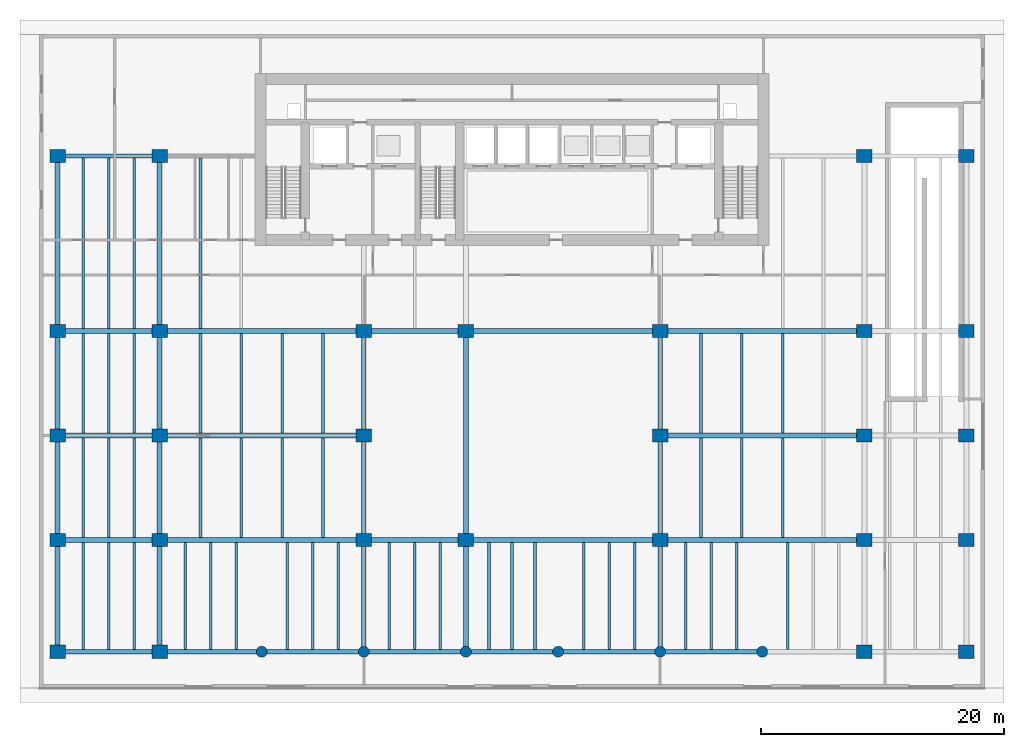
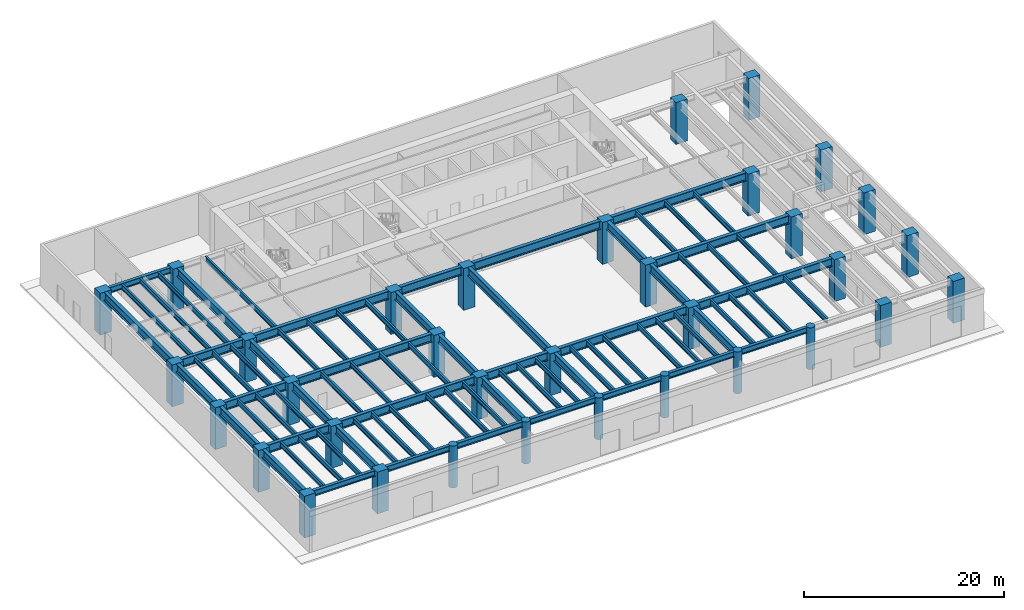
# One storey, part 1 of 11: 83 beams, 34 columns.
"""IFC4 building model written with IfcOpenShell, lengths in metres."""

from ifc_helpers import new_model, si_unit, direction, frame, origin, origin_2d, place, context, subcontext, project, spatial, rectangle, circle, i_section, extrude, material, material_profile, profile_set, type_object, element, save


model = new_model("IFC4")

# Units and contexts
model_context = context("Model", 3, precision=1e-05, world=origin(), true_north=direction((0.0, 1.0)))
body_context = subcontext(model_context, "Body", "Model", "MODEL_VIEW")
ifc_project = project(units=[si_unit("LENGTHUNIT", "METRE"), si_unit("AREAUNIT", "SQUARE_METRE"), si_unit("VOLUMEUNIT", "CUBIC_METRE"), si_unit("PLANEANGLEUNIT", "RADIAN"), si_unit("MASSUNIT", "GRAM", prefix="KILO")], contexts=[model_context])

# Site, building, storey
site_placement = place(None, origin())
site = spatial("IfcSite", under=ifc_project, at=site_placement, CompositionType="ELEMENT")
building_placement = place(site_placement, origin())
building = spatial("IfcBuilding", under=site, at=building_placement, Name="Caelmar Bay Residences", CompositionType="ELEMENT")
storey_placement = place(building_placement, origin())
storey = spatial("IfcBuildingStorey", under=building, at=storey_placement, Name="L00", CompositionType="ELEMENT", Elevation=0.0)

# Columns
ifc_material_1 = material(Name="Concrete f'c 70 MPa (10,000 psi)", Category="concrete")
ifc_material_profile_1 = material_profile(ifc_material_1, rectangle(XDim=1.300048828125, YDim=1.10009765625, at=origin_2d()), Name="RC-COL-1300X1100")
ifc_profile_set_1 = profile_set([ifc_material_profile_1], Name="Concrete f'c 70 MPa (10,000 psi)")
column_type_1 = type_object("IfcColumnType", Name="COL-RC-1300X1100", PredefinedType="COLUMN", material=ifc_profile_set_1)
for number, where, z_axis, x_axis, name in (
    (1, (1.5, 3.0, 0.0), (0.0, 0.0, 1.0), (1.0, 0.0, 0.0), "L00 Column (1.50,3.00)"),
    (2, (9.89990234375, 3.0, 0.0), (0.0, 0.0, 1.0), (1.0, 0.0, 0.0), "L00 Column (9.90,3.00)"),
    (3, (67.89990234375, 3.0, 0.0), (0.0, 0.0, 1.0), (1.0, 0.0, 0.0), "L00 Column (67.90,3.00)"),
    (4, (76.300048828125, 3.0, 0.0), (0.0, 0.0, 1.0), (1.0, 0.0, 0.0), "L00 Column (76.30,3.00)"),
    (5, (1.5, 12.199951171875, 0.0), (0.0, 0.0, 1.0), (1.0, 0.0, 0.0), "L00 Column (1.50,12.20)"),
    (6, (9.89990234375, 12.199951171875, 0.0), (0.0, 0.0, 1.0), (1.0, 0.0, 0.0), "L00 Column (9.90,12.20)"),
    (7, (26.699951171875, 12.199951171875, 0.0), (0.0, 0.0, 1.0), (1.0, 0.0, 0.0), "L00 Column (26.70,12.20)"),
    (8, (35.10009765625, 12.199951171875, 0.0), (0.0, 0.0, 1.0), (1.0, 0.0, 0.0), "L00 Column (35.10,12.20)"),
    (9, (51.10009765625, 12.199951171875, 0.0), (0.0, 0.0, 1.0), (1.0, 0.0, 0.0), "L00 Column (51.10,12.20)"),
    (10, (67.89990234375, 12.199951171875, 0.0), (0.0, 0.0, 1.0), (1.0, 0.0, 0.0), "L00 Column (67.90,12.20)"),
    (11, (76.300048828125, 12.199951171875, 0.0), (0.0, 0.0, 1.0), (1.0, 0.0, 0.0), "L00 Column (76.30,12.20)"),
    (12, (1.5, 20.800048828125, 0.0), (0.0, 0.0, 1.0), (1.0, 0.0, 0.0), "L00 Column (1.50,20.80)"),
    (13, (9.89990234375, 20.800048828125, 0.0), (0.0, 0.0, 1.0), (1.0, 0.0, 0.0), "L00 Column (9.90,20.80)"),
    (14, (26.699951171875, 20.800048828125, 0.0), (0.0, 0.0, 1.0), (1.0, 0.0, 0.0), "L00 Column (26.70,20.80)"),
    (15, (51.10009765625, 20.800048828125, 0.0), (0.0, 0.0, 1.0), (1.0, 0.0, 0.0), "L00 Column (51.10,20.80)"),
    (16, (67.89990234375, 20.800048828125, 0.0), (0.0, 0.0, 1.0), (1.0, 0.0, 0.0), "L00 Column (67.90,20.80)"),
    (17, (76.300048828125, 20.800048828125, 0.0), (0.0, 0.0, 1.0), (1.0, 0.0, 0.0), "L00 Column (76.30,20.80)"),
    (18, (1.5, 29.39990234375, 0.0), (0.0, 0.0, 1.0), (1.0, 0.0, 0.0), "L00 Column (1.50,29.40)"),
    (19, (9.89990234375, 29.39990234375, 0.0), (0.0, 0.0, 1.0), (1.0, 0.0, 0.0), "L00 Column (9.90,29.40)"),
    (20, (26.699951171875, 29.39990234375, 0.0), (0.0, 0.0, 1.0), (1.0, 0.0, 0.0), "L00 Column (26.70,29.40)"),
    (21, (35.10009765625, 29.39990234375, 0.0), (0.0, 0.0, 1.0), (1.0, 0.0, 0.0), "L00 Column (35.10,29.40)"),
    (22, (51.10009765625, 29.39990234375, 0.0), (0.0, 0.0, 1.0), (1.0, 0.0, 0.0), "L00 Column (51.10,29.40)"),
    (23, (67.89990234375, 29.39990234375, 0.0), (0.0, 0.0, 1.0), (1.0, 0.0, 0.0), "L00 Column (67.90,29.40)"),
    (24, (76.300048828125, 29.39990234375, 0.0), (0.0, 0.0, 1.0), (1.0, 0.0, 0.0), "L00 Column (76.30,29.40)"),
    (25, (1.5, 43.800048828125, 0.0), (0.0, 0.0, 1.0), (1.0, 0.0, 0.0), "L00 Column (1.50,43.80)"),
    (26, (9.89990234375, 43.800048828125, 0.0), (0.0, 0.0, 1.0), (1.0, 0.0, 0.0), "L00 Column (9.90,43.80)"),
    (27, (67.89990234375, 43.800048828125, 0.0), (0.0, 0.0, 1.0), (1.0, 0.0, 0.0), "L00 Column (67.90,43.80)"),
    (28, (76.300048828125, 43.800048828125, 0.0), (0.0, 0.0, 1.0), (1.0, 0.0, 0.0), "L00 Column (76.30,43.80)"),
):
    element("IfcColumn", number, at=place(storey_placement, frame(where, z_axis=z_axis, x_axis=x_axis)), inside=storey, type_object=column_type_1, Name=name, PredefinedType="COLUMN", context=body_context, shape_type="SweptSolid", body=[
        extrude(rectangle(XDim=1.300048828125, YDim=1.10009765625, at=origin_2d()), origin(), (0.0, 0.0, 1.0), 5.10009765625),
    ])
ifc_material_profile_2 = material_profile(ifc_material_1, circle(Radius=0.449951171875, at=origin_2d()), Name="RC-COL-900D")
ifc_profile_set_2 = profile_set([ifc_material_profile_2], Name="Concrete f'c 70 MPa (10,000 psi)")
column_type_2 = type_object("IfcColumnType", Name="COL-RC-900D", PredefinedType="COLUMN", material=ifc_profile_set_2)
for number, where, z_axis, x_axis, name in (
    (29, (18.300048828125, 3.0, 0.0), (0.0, 0.0, 1.0), (1.0, 0.0, 0.0), "L00 Column (18.30,3.00)"),
    (30, (26.699951171875, 3.0, 0.0), (0.0, 0.0, 1.0), (1.0, 0.0, 0.0), "L00 Column (26.70,3.00)"),
    (31, (35.10009765625, 3.0, 0.0), (0.0, 0.0, 1.0), (1.0, 0.0, 0.0), "L00 Column (35.10,3.00)"),
    (32, (42.699951171875, 3.0, 0.0), (0.0, 0.0, 1.0), (1.0, 0.0, 0.0), "L00 Column (42.70,3.00)"),
    (33, (51.10009765625, 3.0, 0.0), (0.0, 0.0, 1.0), (1.0, 0.0, 0.0), "L00 Column (51.10,3.00)"),
    (34, (59.5, 3.0, 0.0), (0.0, 0.0, 1.0), (1.0, 0.0, 0.0), "L00 Column (59.50,3.00)"),
):
    element("IfcColumn", number, at=place(storey_placement, frame(where, z_axis=z_axis, x_axis=x_axis)), inside=storey, type_object=column_type_2, Name=name, PredefinedType="COLUMN", context=body_context, shape_type="SweptSolid", body=[
        extrude(circle(Radius=0.449951171875, at=origin_2d()), origin(), (0.0, 0.0, 1.0), 5.10009765625),
    ])

# Beams
ifc_material_2 = material(Name="Steel ASTM A992 Grade 50", Category="steel")
ifc_material_profile_3 = material_profile(ifc_material_2, i_section(OverallWidth=0.404052734375, OverallDepth=1.02099609375, WebThickness=0.025390625, FlangeThickness=0.0458984375, FilletRadius=0.02294921875, at=origin_2d()), Name="W40X324")
ifc_profile_set_3 = profile_set([ifc_material_profile_3], Name="Steel ASTM A992 Grade 50")
beam_type_1 = type_object("IfcBeamType", Name="BM-GRD-W40X324", PredefinedType="BEAM", material=ifc_profile_set_3)
beam_1_placement = place(storey_placement, frame((2.0400390625, 12.199951171875, 4.589599609375), z_axis=(1.0, 0.0, 0.0), x_axis=(0.0, 1.0, 0.0)))
element("IfcBeam", 35, at=beam_1_placement, inside=storey, type_object=beam_type_1, Name="L00 East-West Girder Y=12.20 (1.5-9.9)", PredefinedType="BEAM", context=body_context, shape_type="SweptSolid", body=[
    extrude(i_section(OverallWidth=0.404052734375, OverallDepth=1.02099609375, WebThickness=0.025390625, FlangeThickness=0.0458984375, FilletRadius=0.02294921875, at=origin_2d()), origin(), (0.0, 0.0, 1.0), 7.320068359375),
])
beam_2_placement = place(storey_placement, frame((10.43994140625, 12.199951171875, 4.589599609375), z_axis=(1.0, 0.0, 0.0), x_axis=(0.0, 1.0, 0.0)))
element("IfcBeam", 36, at=beam_2_placement, inside=storey, type_object=beam_type_1, Name="L00 East-West Girder Y=12.20 (9.9-26.7)", PredefinedType="BEAM", context=body_context, shape_type="SweptSolid", body=[
    extrude(i_section(OverallWidth=0.404052734375, OverallDepth=1.02099609375, WebThickness=0.025390625, FlangeThickness=0.0458984375, FilletRadius=0.02294921875, at=origin_2d()), origin(), (0.0, 0.0, 1.0), 15.719970703125),
])
beam_3_placement = place(storey_placement, frame((27.239990234375, 12.199951171875, 4.589599609375), z_axis=(1.0, 0.0, 0.0), x_axis=(0.0, 1.0, 0.0)))
element("IfcBeam", 37, at=beam_3_placement, inside=storey, type_object=beam_type_1, Name="L00 East-West Girder Y=12.20 (26.7-35.1)", PredefinedType="BEAM", context=body_context, shape_type="SweptSolid", body=[
    extrude(i_section(OverallWidth=0.404052734375, OverallDepth=1.02099609375, WebThickness=0.025390625, FlangeThickness=0.0458984375, FilletRadius=0.02294921875, at=origin_2d()), origin(), (0.0, 0.0, 1.0), 7.320068359375),
])
beam_4_placement = place(storey_placement, frame((35.639892578125, 12.199951171875, 4.589599609375), z_axis=(1.0, 0.0, 0.0), x_axis=(0.0, 1.0, 0.0)))
element("IfcBeam", 38, at=beam_4_placement, inside=storey, type_object=beam_type_1, Name="L00 East-West Girder Y=12.20 (35.1-51.1)", PredefinedType="BEAM", context=body_context, shape_type="SweptSolid", body=[
    extrude(i_section(OverallWidth=0.404052734375, OverallDepth=1.02099609375, WebThickness=0.025390625, FlangeThickness=0.0458984375, FilletRadius=0.02294921875, at=origin_2d()), origin(), (0.0, 0.0, 1.0), 14.920166015625),
])
beam_5_placement = place(storey_placement, frame((51.639892578125, 12.199951171875, 4.589599609375), z_axis=(1.0, 0.0, 0.0), x_axis=(0.0, 1.0, 0.0)))
element("IfcBeam", 39, at=beam_5_placement, inside=storey, type_object=beam_type_1, Name="L00 East-West Girder Y=12.20 (51.1-67.9)", PredefinedType="BEAM", context=body_context, shape_type="SweptSolid", body=[
    extrude(i_section(OverallWidth=0.404052734375, OverallDepth=1.02099609375, WebThickness=0.025390625, FlangeThickness=0.0458984375, FilletRadius=0.02294921875, at=origin_2d()), origin(), (0.0, 0.0, 1.0), 15.72021484375),
])
beam_6_placement = place(storey_placement, frame((2.0400390625, 20.800048828125, 4.589599609375), z_axis=(1.0, 0.0, 0.0), x_axis=(0.0, 1.0, 0.0)))
element("IfcBeam", 40, at=beam_6_placement, inside=storey, type_object=beam_type_1, Name="L00 East-West Girder Y=20.80 (1.5-9.9)", PredefinedType="BEAM", context=body_context, shape_type="SweptSolid", body=[
    extrude(i_section(OverallWidth=0.404052734375, OverallDepth=1.02099609375, WebThickness=0.025390625, FlangeThickness=0.0458984375, FilletRadius=0.02294921875, at=origin_2d()), origin(), (0.0, 0.0, 1.0), 7.320068359375),
])
beam_7_placement = place(storey_placement, frame((10.43994140625, 20.800048828125, 4.589599609375), z_axis=(1.0, 0.0, 0.0), x_axis=(0.0, 1.0, 0.0)))
element("IfcBeam", 41, at=beam_7_placement, inside=storey, type_object=beam_type_1, Name="L00 East-West Girder Y=20.80 (9.9-26.7)", PredefinedType="BEAM", context=body_context, shape_type="SweptSolid", body=[
    extrude(i_section(OverallWidth=0.404052734375, OverallDepth=1.02099609375, WebThickness=0.025390625, FlangeThickness=0.0458984375, FilletRadius=0.02294921875, at=origin_2d()), origin(), (0.0, 0.0, 1.0), 15.719970703125),
])
beam_8_placement = place(storey_placement, frame((51.639892578125, 20.800048828125, 4.589599609375), z_axis=(1.0, 0.0, 0.0), x_axis=(0.0, 1.0, 0.0)))
element("IfcBeam", 42, at=beam_8_placement, inside=storey, type_object=beam_type_1, Name="L00 East-West Girder Y=20.80 (51.1-67.9)", PredefinedType="BEAM", context=body_context, shape_type="SweptSolid", body=[
    extrude(i_section(OverallWidth=0.404052734375, OverallDepth=1.02099609375, WebThickness=0.025390625, FlangeThickness=0.0458984375, FilletRadius=0.02294921875, at=origin_2d()), origin(), (0.0, 0.0, 1.0), 15.72021484375),
])
beam_9_placement = place(storey_placement, frame((2.0400390625, 29.39990234375, 4.589599609375), z_axis=(1.0, 0.0, 0.0), x_axis=(0.0, 1.0, 0.0)))
element("IfcBeam", 43, at=beam_9_placement, inside=storey, type_object=beam_type_1, Name="L00 East-West Girder Y=29.40 (1.5-9.9)", PredefinedType="BEAM", context=body_context, shape_type="SweptSolid", body=[
    extrude(i_section(OverallWidth=0.404052734375, OverallDepth=1.02099609375, WebThickness=0.025390625, FlangeThickness=0.0458984375, FilletRadius=0.02294921875, at=origin_2d()), origin(), (0.0, 0.0, 1.0), 7.320068359375),
])
beam_10_placement = place(storey_placement, frame((10.43994140625, 29.39990234375, 4.589599609375), z_axis=(1.0, 0.0, 0.0), x_axis=(0.0, 1.0, 0.0)))
element("IfcBeam", 44, at=beam_10_placement, inside=storey, type_object=beam_type_1, Name="L00 East-West Girder Y=29.40 (9.9-26.7)", PredefinedType="BEAM", context=body_context, shape_type="SweptSolid", body=[
    extrude(i_section(OverallWidth=0.404052734375, OverallDepth=1.02099609375, WebThickness=0.025390625, FlangeThickness=0.0458984375, FilletRadius=0.02294921875, at=origin_2d()), origin(), (0.0, 0.0, 1.0), 15.719970703125),
])
beam_11_placement = place(storey_placement, frame((27.239990234375, 29.39990234375, 4.589599609375), z_axis=(1.0, 0.0, 0.0), x_axis=(0.0, 1.0, 0.0)))
element("IfcBeam", 45, at=beam_11_placement, inside=storey, type_object=beam_type_1, Name="L00 East-West Girder Y=29.40 (26.7-35.1)", PredefinedType="BEAM", context=body_context, shape_type="SweptSolid", body=[
    extrude(i_section(OverallWidth=0.404052734375, OverallDepth=1.02099609375, WebThickness=0.025390625, FlangeThickness=0.0458984375, FilletRadius=0.02294921875, at=origin_2d()), origin(), (0.0, 0.0, 1.0), 7.320068359375),
])
beam_12_placement = place(storey_placement, frame((35.639892578125, 29.39990234375, 4.589599609375), z_axis=(1.0, 0.0, 0.0), x_axis=(0.0, 1.0, 0.0)))
element("IfcBeam", 46, at=beam_12_placement, inside=storey, type_object=beam_type_1, Name="L00 East-West Girder Y=29.40 (35.1-51.1)", PredefinedType="BEAM", context=body_context, shape_type="SweptSolid", body=[
    extrude(i_section(OverallWidth=0.404052734375, OverallDepth=1.02099609375, WebThickness=0.025390625, FlangeThickness=0.0458984375, FilletRadius=0.02294921875, at=origin_2d()), origin(), (0.0, 0.0, 1.0), 14.920166015625),
])
beam_13_placement = place(storey_placement, frame((51.639892578125, 29.39990234375, 4.589599609375), z_axis=(1.0, 0.0, 0.0), x_axis=(0.0, 1.0, 0.0)))
element("IfcBeam", 47, at=beam_13_placement, inside=storey, type_object=beam_type_1, Name="L00 East-West Girder Y=29.40 (51.1-67.9)", PredefinedType="BEAM", context=body_context, shape_type="SweptSolid", body=[
    extrude(i_section(OverallWidth=0.404052734375, OverallDepth=1.02099609375, WebThickness=0.025390625, FlangeThickness=0.0458984375, FilletRadius=0.02294921875, at=origin_2d()), origin(), (0.0, 0.0, 1.0), 15.72021484375),
])
beam_14_placement = place(storey_placement, frame((1.5, 3.5400390625, 4.589599609375), z_axis=(0.0, 1.0, 0.0), x_axis=(-1.0, 0.0, 0.0)))
element("IfcBeam", 48, at=beam_14_placement, inside=storey, type_object=beam_type_1, Name="L00 North-South Girder X=1.50 (3.0-12.2)", PredefinedType="BEAM", context=body_context, shape_type="SweptSolid", body=[
    extrude(i_section(OverallWidth=0.404052734375, OverallDepth=1.02099609375, WebThickness=0.025390625, FlangeThickness=0.0458984375, FilletRadius=0.02294921875, at=origin_2d()), origin(), (0.0, 0.0, 1.0), 8.119873046875),
])
for number, where, z_axis, x_axis, name in (
    (49, (1.5, 12.739990234375, 4.589599609375), (0.0, 1.0, 0.0), (-1.0, 0.0, 0.0), "L00 North-South Girder X=1.50 (12.2-20.8)"),
    (50, (1.5, 21.340087890625, 4.589599609375), (0.0, 1.0, 0.0), (-1.0, 0.0, 0.0), "L00 North-South Girder X=1.50 (20.8-29.4)"),
):
    element("IfcBeam", number, at=place(storey_placement, frame(where, z_axis=z_axis, x_axis=x_axis)), inside=storey, type_object=beam_type_1, Name=name, PredefinedType="BEAM", context=body_context, shape_type="SweptSolid", body=[
        extrude(i_section(OverallWidth=0.404052734375, OverallDepth=1.02099609375, WebThickness=0.025390625, FlangeThickness=0.0458984375, FilletRadius=0.02294921875, at=origin_2d()), origin(), (0.0, 0.0, 1.0), 7.52001953125),
    ])
beam_15_placement = place(storey_placement, frame((1.5, 29.93994140625, 4.589599609375), z_axis=(0.0, 1.0, 0.0), x_axis=(-1.0, 0.0, 0.0)))
element("IfcBeam", 51, at=beam_15_placement, inside=storey, type_object=beam_type_1, Name="L00 North-South Girder X=1.50 (29.4-43.8)", PredefinedType="BEAM", context=body_context, shape_type="SweptSolid", body=[
    extrude(i_section(OverallWidth=0.404052734375, OverallDepth=1.02099609375, WebThickness=0.025390625, FlangeThickness=0.0458984375, FilletRadius=0.02294921875, at=origin_2d()), origin(), (0.0, 0.0, 1.0), 13.320068359375),
])
beam_16_placement = place(storey_placement, frame((9.89990234375, 3.5400390625, 4.589599609375), z_axis=(0.0, 1.0, 0.0), x_axis=(-1.0, 0.0, 0.0)))
element("IfcBeam", 52, at=beam_16_placement, inside=storey, type_object=beam_type_1, Name="L00 North-South Girder X=9.90 (3.0-12.2)", PredefinedType="BEAM", context=body_context, shape_type="SweptSolid", body=[
    extrude(i_section(OverallWidth=0.404052734375, OverallDepth=1.02099609375, WebThickness=0.025390625, FlangeThickness=0.0458984375, FilletRadius=0.02294921875, at=origin_2d()), origin(), (0.0, 0.0, 1.0), 8.119873046875),
])
for number, where, z_axis, x_axis, name in (
    (53, (9.89990234375, 12.739990234375, 4.589599609375), (0.0, 1.0, 0.0), (-1.0, 0.0, 0.0), "L00 North-South Girder X=9.90 (12.2-20.8)"),
    (54, (9.89990234375, 21.340087890625, 4.589599609375), (0.0, 1.0, 0.0), (-1.0, 0.0, 0.0), "L00 North-South Girder X=9.90 (20.8-29.4)"),
):
    element("IfcBeam", number, at=place(storey_placement, frame(where, z_axis=z_axis, x_axis=x_axis)), inside=storey, type_object=beam_type_1, Name=name, PredefinedType="BEAM", context=body_context, shape_type="SweptSolid", body=[
        extrude(i_section(OverallWidth=0.404052734375, OverallDepth=1.02099609375, WebThickness=0.025390625, FlangeThickness=0.0458984375, FilletRadius=0.02294921875, at=origin_2d()), origin(), (0.0, 0.0, 1.0), 7.52001953125),
    ])
beam_17_placement = place(storey_placement, frame((9.89990234375, 29.93994140625, 4.589599609375), z_axis=(0.0, 1.0, 0.0), x_axis=(-1.0, 0.0, 0.0)))
element("IfcBeam", 55, at=beam_17_placement, inside=storey, type_object=beam_type_1, Name="L00 North-South Girder X=9.90 (29.4-43.8)", PredefinedType="BEAM", context=body_context, shape_type="SweptSolid", body=[
    extrude(i_section(OverallWidth=0.404052734375, OverallDepth=1.02099609375, WebThickness=0.025390625, FlangeThickness=0.0458984375, FilletRadius=0.02294921875, at=origin_2d()), origin(), (0.0, 0.0, 1.0), 13.320068359375),
])
beam_18_placement = place(storey_placement, frame((26.699951171875, 3.43994140625, 4.589599609375), z_axis=(0.0, 1.0, 0.0), x_axis=(-1.0, 0.0, 0.0)))
element("IfcBeam", 56, at=beam_18_placement, inside=storey, type_object=beam_type_1, Name="L00 North-South Girder X=26.70 (3.0-12.2)", PredefinedType="BEAM", context=body_context, shape_type="SweptSolid", body=[
    extrude(i_section(OverallWidth=0.404052734375, OverallDepth=1.02099609375, WebThickness=0.025390625, FlangeThickness=0.0458984375, FilletRadius=0.02294921875, at=origin_2d()), origin(), (0.0, 0.0, 1.0), 8.219970703125),
])
for number, where, z_axis, x_axis, name in (
    (57, (26.699951171875, 12.739990234375, 4.589599609375), (0.0, 1.0, 0.0), (-1.0, 0.0, 0.0), "L00 North-South Girder X=26.70 (12.2-20.8)"),
    (58, (26.699951171875, 21.340087890625, 4.589599609375), (0.0, 1.0, 0.0), (-1.0, 0.0, 0.0), "L00 North-South Girder X=26.70 (20.8-29.4)"),
):
    element("IfcBeam", number, at=place(storey_placement, frame(where, z_axis=z_axis, x_axis=x_axis)), inside=storey, type_object=beam_type_1, Name=name, PredefinedType="BEAM", context=body_context, shape_type="SweptSolid", body=[
        extrude(i_section(OverallWidth=0.404052734375, OverallDepth=1.02099609375, WebThickness=0.025390625, FlangeThickness=0.0458984375, FilletRadius=0.02294921875, at=origin_2d()), origin(), (0.0, 0.0, 1.0), 7.52001953125),
    ])
beam_19_placement = place(storey_placement, frame((35.10009765625, 3.43994140625, 4.589599609375), z_axis=(0.0, 1.0, 0.0), x_axis=(-1.0, 0.0, 0.0)))
element("IfcBeam", 59, at=beam_19_placement, inside=storey, type_object=beam_type_1, Name="L00 North-South Girder X=35.10 (3.0-12.2)", PredefinedType="BEAM", context=body_context, shape_type="SweptSolid", body=[
    extrude(i_section(OverallWidth=0.404052734375, OverallDepth=1.02099609375, WebThickness=0.025390625, FlangeThickness=0.0458984375, FilletRadius=0.02294921875, at=origin_2d()), origin(), (0.0, 0.0, 1.0), 8.219970703125),
])
beam_20_placement = place(storey_placement, frame((35.10009765625, 12.739990234375, 4.589599609375), z_axis=(0.0, 1.0, 0.0), x_axis=(-1.0, 0.0, 0.0)))
element("IfcBeam", 60, at=beam_20_placement, inside=storey, type_object=beam_type_1, Name="L00 North-South Girder X=35.10 (12.2-29.4)", PredefinedType="BEAM", context=body_context, shape_type="SweptSolid", body=[
    extrude(i_section(OverallWidth=0.404052734375, OverallDepth=1.02099609375, WebThickness=0.025390625, FlangeThickness=0.0458984375, FilletRadius=0.02294921875, at=origin_2d()), origin(), (0.0, 0.0, 1.0), 16.1201171875),
])
beam_21_placement = place(storey_placement, frame((51.10009765625, 3.43994140625, 4.589599609375), z_axis=(0.0, 1.0, 0.0), x_axis=(-1.0, 0.0, 0.0)))
element("IfcBeam", 61, at=beam_21_placement, inside=storey, type_object=beam_type_1, Name="L00 North-South Girder X=51.10 (3.0-12.2)", PredefinedType="BEAM", context=body_context, shape_type="SweptSolid", body=[
    extrude(i_section(OverallWidth=0.404052734375, OverallDepth=1.02099609375, WebThickness=0.025390625, FlangeThickness=0.0458984375, FilletRadius=0.02294921875, at=origin_2d()), origin(), (0.0, 0.0, 1.0), 8.219970703125),
])
for number, where, z_axis, x_axis, name in (
    (62, (51.10009765625, 12.739990234375, 4.589599609375), (0.0, 1.0, 0.0), (-1.0, 0.0, 0.0), "L00 North-South Girder X=51.10 (12.2-20.8)"),
    (63, (51.10009765625, 21.340087890625, 4.589599609375), (0.0, 1.0, 0.0), (-1.0, 0.0, 0.0), "L00 North-South Girder X=51.10 (20.8-29.4)"),
):
    element("IfcBeam", number, at=place(storey_placement, frame(where, z_axis=z_axis, x_axis=x_axis)), inside=storey, type_object=beam_type_1, Name=name, PredefinedType="BEAM", context=body_context, shape_type="SweptSolid", body=[
        extrude(i_section(OverallWidth=0.404052734375, OverallDepth=1.02099609375, WebThickness=0.025390625, FlangeThickness=0.0458984375, FilletRadius=0.02294921875, at=origin_2d()), origin(), (0.0, 0.0, 1.0), 7.52001953125),
    ])
ifc_material_profile_4 = material_profile(ifc_material_2, i_section(OverallWidth=0.22900390625, OverallDepth=0.612060546875, WebThickness=0.011962890625, FlangeThickness=0.01953125, FilletRadius=0.0126953125, at=origin_2d()), Name="W24X84")
ifc_profile_set_4 = profile_set([ifc_material_profile_4], Name="Steel ASTM A992 Grade 50")
beam_type_2 = type_object("IfcBeamType", Name="BM-JST-W24X84", PredefinedType="JOIST", material=ifc_profile_set_4)
for number, where, z_axis, x_axis, name in (
    (64, (3.60009765625, 3.177978515625, 4.7939453125), (0.0, 1.0, 0.0), (-1.0, 0.0, 0.0), "L00 Composite Floor Joist 1"),
    (65, (5.699951171875, 3.177978515625, 4.7939453125), (0.0, 1.0, 0.0), (-1.0, 0.0, 0.0), "L00 Composite Floor Joist 2"),
    (66, (7.800048828125, 3.177978515625, 4.7939453125), (0.0, 1.0, 0.0), (-1.0, 0.0, 0.0), "L00 Composite Floor Joist 3"),
    (67, (12.0, 3.177978515625, 4.7939453125), (0.0, 1.0, 0.0), (-1.0, 0.0, 0.0), "L00 Composite Floor Joist 4"),
    (68, (14.10009765625, 3.177978515625, 4.7939453125), (0.0, 1.0, 0.0), (-1.0, 0.0, 0.0), "L00 Composite Floor Joist 5"),
    (69, (16.199951171875, 3.177978515625, 4.7939453125), (0.0, 1.0, 0.0), (-1.0, 0.0, 0.0), "L00 Composite Floor Joist 6"),
    (70, (20.39990234375, 3.177978515625, 4.7939453125), (0.0, 1.0, 0.0), (-1.0, 0.0, 0.0), "L00 Composite Floor Joist 7"),
    (71, (22.5, 3.177978515625, 4.7939453125), (0.0, 1.0, 0.0), (-1.0, 0.0, 0.0), "L00 Composite Floor Joist 8"),
    (72, (24.60009765625, 3.177978515625, 4.7939453125), (0.0, 1.0, 0.0), (-1.0, 0.0, 0.0), "L00 Composite Floor Joist 9"),
    (73, (28.800048828125, 3.177978515625, 4.7939453125), (0.0, 1.0, 0.0), (-1.0, 0.0, 0.0), "L00 Composite Floor Joist 10"),
    (74, (30.89990234375, 3.177978515625, 4.7939453125), (0.0, 1.0, 0.0), (-1.0, 0.0, 0.0), "L00 Composite Floor Joist 11"),
    (75, (33.0, 3.177978515625, 4.7939453125), (0.0, 1.0, 0.0), (-1.0, 0.0, 0.0), "L00 Composite Floor Joist 12"),
    (76, (37.0, 3.177978515625, 4.7939453125), (0.0, 1.0, 0.0), (-1.0, 0.0, 0.0), "L00 Composite Floor Joist 13"),
    (77, (38.89990234375, 3.177978515625, 4.7939453125), (0.0, 1.0, 0.0), (-1.0, 0.0, 0.0), "L00 Composite Floor Joist 14"),
    (78, (40.800048828125, 3.177978515625, 4.7939453125), (0.0, 1.0, 0.0), (-1.0, 0.0, 0.0), "L00 Composite Floor Joist 15"),
    (79, (44.800048828125, 3.177978515625, 4.7939453125), (0.0, 1.0, 0.0), (-1.0, 0.0, 0.0), "L00 Composite Floor Joist 16"),
    (80, (46.89990234375, 3.177978515625, 4.7939453125), (0.0, 1.0, 0.0), (-1.0, 0.0, 0.0), "L00 Composite Floor Joist 17"),
    (81, (49.0, 3.177978515625, 4.7939453125), (0.0, 1.0, 0.0), (-1.0, 0.0, 0.0), "L00 Composite Floor Joist 18"),
    (82, (53.199951171875, 3.177978515625, 4.7939453125), (0.0, 1.0, 0.0), (-1.0, 0.0, 0.0), "L00 Composite Floor Joist 19"),
    (83, (55.300048828125, 3.177978515625, 4.7939453125), (0.0, 1.0, 0.0), (-1.0, 0.0, 0.0), "L00 Composite Floor Joist 20"),
    (84, (57.39990234375, 3.177978515625, 4.7939453125), (0.0, 1.0, 0.0), (-1.0, 0.0, 0.0), "L00 Composite Floor Joist 21"),
    (85, (61.60009765625, 3.177978515625, 4.7939453125), (0.0, 1.0, 0.0), (-1.0, 0.0, 0.0), "L00 Composite Floor Joist 22"),
):
    element("IfcBeam", number, at=place(storey_placement, frame(where, z_axis=z_axis, x_axis=x_axis)), inside=storey, type_object=beam_type_2, Name=name, PredefinedType="JOIST", context=body_context, shape_type="SweptSolid", body=[
        extrude(i_section(OverallWidth=0.22900390625, OverallDepth=0.612060546875, WebThickness=0.011962890625, FlangeThickness=0.01953125, FilletRadius=0.0126953125, at=origin_2d()), origin(), (0.0, 0.0, 1.0), 8.820068359375),
    ])
for number, where, z_axis, x_axis, name in (
    (86, (3.60009765625, 12.402099609375, 4.7939453125), (0.0, 1.0, 0.0), (-1.0, 0.0, 0.0), "L00 Composite Floor Joist 28"),
    (87, (5.699951171875, 12.402099609375, 4.7939453125), (0.0, 1.0, 0.0), (-1.0, 0.0, 0.0), "L00 Composite Floor Joist 29"),
    (88, (7.800048828125, 12.402099609375, 4.7939453125), (0.0, 1.0, 0.0), (-1.0, 0.0, 0.0), "L00 Composite Floor Joist 30"),
    (89, (13.260009765625, 12.402099609375, 4.7939453125), (0.0, 1.0, 0.0), (-1.0, 0.0, 0.0), "L00 Composite Floor Joist 31"),
    (90, (16.6201171875, 12.402099609375, 4.7939453125), (0.0, 1.0, 0.0), (-1.0, 0.0, 0.0), "L00 Composite Floor Joist 32"),
    (91, (19.97998046875, 12.402099609375, 4.7939453125), (0.0, 1.0, 0.0), (-1.0, 0.0, 0.0), "L00 Composite Floor Joist 33"),
    (92, (23.340087890625, 12.402099609375, 4.7939453125), (0.0, 1.0, 0.0), (-1.0, 0.0, 0.0), "L00 Composite Floor Joist 34"),
    (93, (54.4599609375, 12.402099609375, 4.7939453125), (0.0, 1.0, 0.0), (-1.0, 0.0, 0.0), "L00 Composite Floor Joist 35"),
    (94, (57.820068359375, 12.402099609375, 4.7939453125), (0.0, 1.0, 0.0), (-1.0, 0.0, 0.0), "L00 Composite Floor Joist 36"),
    (95, (61.179931640625, 12.402099609375, 4.7939453125), (0.0, 1.0, 0.0), (-1.0, 0.0, 0.0), "L00 Composite Floor Joist 37"),
):
    element("IfcBeam", number, at=place(storey_placement, frame(where, z_axis=z_axis, x_axis=x_axis)), inside=storey, type_object=beam_type_2, Name=name, PredefinedType="JOIST", context=body_context, shape_type="SweptSolid", body=[
        extrude(i_section(OverallWidth=0.22900390625, OverallDepth=0.612060546875, WebThickness=0.011962890625, FlangeThickness=0.01953125, FilletRadius=0.0126953125, at=origin_2d()), origin(), (0.0, 0.0, 1.0), 8.19580078125),
    ])
for number, where, z_axis, x_axis, name in (
    (96, (3.60009765625, 21.001953125, 4.7939453125), (0.0, 1.0, 0.0), (-1.0, 0.0, 0.0), "L00 Composite Floor Joist 42"),
    (97, (5.699951171875, 21.001953125, 4.7939453125), (0.0, 1.0, 0.0), (-1.0, 0.0, 0.0), "L00 Composite Floor Joist 43"),
    (98, (7.800048828125, 21.001953125, 4.7939453125), (0.0, 1.0, 0.0), (-1.0, 0.0, 0.0), "L00 Composite Floor Joist 44"),
    (99, (13.260009765625, 21.001953125, 4.7939453125), (0.0, 1.0, 0.0), (-1.0, 0.0, 0.0), "L00 Composite Floor Joist 45"),
    (100, (16.6201171875, 21.001953125, 4.7939453125), (0.0, 1.0, 0.0), (-1.0, 0.0, 0.0), "L00 Composite Floor Joist 46"),
    (101, (19.97998046875, 21.001953125, 4.7939453125), (0.0, 1.0, 0.0), (-1.0, 0.0, 0.0), "L00 Composite Floor Joist 47"),
    (102, (23.340087890625, 21.001953125, 4.7939453125), (0.0, 1.0, 0.0), (-1.0, 0.0, 0.0), "L00 Composite Floor Joist 48"),
    (103, (54.4599609375, 21.001953125, 4.7939453125), (0.0, 1.0, 0.0), (-1.0, 0.0, 0.0), "L00 Composite Floor Joist 49"),
    (104, (57.820068359375, 21.001953125, 4.7939453125), (0.0, 1.0, 0.0), (-1.0, 0.0, 0.0), "L00 Composite Floor Joist 50"),
    (105, (61.179931640625, 21.001953125, 4.7939453125), (0.0, 1.0, 0.0), (-1.0, 0.0, 0.0), "L00 Composite Floor Joist 51"),
):
    element("IfcBeam", number, at=place(storey_placement, frame(where, z_axis=z_axis, x_axis=x_axis)), inside=storey, type_object=beam_type_2, Name=name, PredefinedType="JOIST", context=body_context, shape_type="SweptSolid", body=[
        extrude(i_section(OverallWidth=0.22900390625, OverallDepth=0.612060546875, WebThickness=0.011962890625, FlangeThickness=0.01953125, FilletRadius=0.0126953125, at=origin_2d()), origin(), (0.0, 0.0, 1.0), 8.196044921875),
    ])
for number, where, z_axis, x_axis, name in (
    (106, (3.60009765625, 29.60205078125, 4.7939453125), (0.0, 1.0, 0.0), (-1.0, 0.0, 0.0), "L00 Composite Floor Joist 57"),
    (107, (5.699951171875, 29.60205078125, 4.7939453125), (0.0, 1.0, 0.0), (-1.0, 0.0, 0.0), "L00 Composite Floor Joist 58"),
    (108, (7.800048828125, 29.60205078125, 4.7939453125), (0.0, 1.0, 0.0), (-1.0, 0.0, 0.0), "L00 Composite Floor Joist 59"),
    (109, (13.260009765625, 29.60205078125, 4.7939453125), (0.0, 1.0, 0.0), (-1.0, 0.0, 0.0), "L00 Composite Floor Joist 60"),
):
    element("IfcBeam", number, at=place(storey_placement, frame(where, z_axis=z_axis, x_axis=x_axis)), inside=storey, type_object=beam_type_2, Name=name, PredefinedType="JOIST", context=body_context, shape_type="SweptSolid", body=[
        extrude(i_section(OverallWidth=0.22900390625, OverallDepth=0.612060546875, WebThickness=0.011962890625, FlangeThickness=0.01953125, FilletRadius=0.0126953125, at=origin_2d()), origin(), (0.0, 0.0, 1.0), 14.02001953125),
    ])
ifc_material_profile_5 = material_profile(ifc_material_2, i_section(OverallWidth=0.35595703125, OverallDepth=0.696044921875, WebThickness=0.015380859375, FlangeThickness=0.02490234375, FilletRadius=0.01513671875, at=origin_2d()), Name="W27X146")
ifc_profile_set_5 = profile_set([ifc_material_profile_5], Name="Steel ASTM A992 Grade 50")
beam_type_3 = type_object("IfcBeamType", Name="BM-SPN-W27X146", PredefinedType="SPANDREL", material=ifc_profile_set_5)
beam_22_placement = place(storey_placement, frame((2.0400390625, 3.0, 4.751953125), z_axis=(1.0, 0.0, 0.0), x_axis=(0.0, 1.0, 0.0)))
element("IfcBeam", 110, at=beam_22_placement, inside=storey, type_object=beam_type_3, Name="L00 East-West Girder Y=3.00 (1.5-9.9)", PredefinedType="SPANDREL", context=body_context, shape_type="SweptSolid", body=[
    extrude(i_section(OverallWidth=0.35595703125, OverallDepth=0.696044921875, WebThickness=0.015380859375, FlangeThickness=0.02490234375, FilletRadius=0.01513671875, at=origin_2d()), origin(), (0.0, 0.0, 1.0), 7.320068359375),
])
beam_23_placement = place(storey_placement, frame((10.43994140625, 3.0, 4.751953125), z_axis=(1.0, 0.0, 0.0), x_axis=(0.0, 1.0, 0.0)))
element("IfcBeam", 111, at=beam_23_placement, inside=storey, type_object=beam_type_3, Name="L00 East-West Girder Y=3.00 (9.9-18.3)", PredefinedType="SPANDREL", context=body_context, shape_type="SweptSolid", body=[
    extrude(i_section(OverallWidth=0.35595703125, OverallDepth=0.696044921875, WebThickness=0.015380859375, FlangeThickness=0.02490234375, FilletRadius=0.01513671875, at=origin_2d()), origin(), (0.0, 0.0, 1.0), 7.420166015625),
])
for number, where, z_axis, x_axis, name in (
    (112, (18.739990234375, 3.0, 4.751953125), (1.0, 0.0, 0.0), (0.0, 1.0, 0.0), "L00 East-West Girder Y=3.00 (18.3-26.7)"),
    (113, (27.139892578125, 3.0, 4.751953125), (1.0, 0.0, 0.0), (0.0, 1.0, 0.0), "L00 East-West Girder Y=3.00 (26.7-35.1)"),
):
    element("IfcBeam", number, at=place(storey_placement, frame(where, z_axis=z_axis, x_axis=x_axis)), inside=storey, type_object=beam_type_3, Name=name, PredefinedType="SPANDREL", context=body_context, shape_type="SweptSolid", body=[
        extrude(i_section(OverallWidth=0.35595703125, OverallDepth=0.696044921875, WebThickness=0.015380859375, FlangeThickness=0.02490234375, FilletRadius=0.01513671875, at=origin_2d()), origin(), (0.0, 0.0, 1.0), 7.52001953125),
    ])
beam_24_placement = place(storey_placement, frame((35.5400390625, 3.0, 4.751953125), z_axis=(1.0, 0.0, 0.0), x_axis=(0.0, 1.0, 0.0)))
element("IfcBeam", 114, at=beam_24_placement, inside=storey, type_object=beam_type_3, Name="L00 East-West Girder Y=3.00 (35.1-42.7)", PredefinedType="SPANDREL", context=body_context, shape_type="SweptSolid", body=[
    extrude(i_section(OverallWidth=0.35595703125, OverallDepth=0.696044921875, WebThickness=0.015380859375, FlangeThickness=0.02490234375, FilletRadius=0.01513671875, at=origin_2d()), origin(), (0.0, 0.0, 1.0), 6.719970703125),
])
for number, where, z_axis, x_axis, name in (
    (115, (43.139892578125, 3.0, 4.751953125), (1.0, 0.0, 0.0), (0.0, 1.0, 0.0), "L00 East-West Girder Y=3.00 (42.7-51.1)"),
    (116, (51.5400390625, 3.0, 4.751953125), (1.0, 0.0, 0.0), (0.0, 1.0, 0.0), "L00 East-West Girder Y=3.00 (51.1-59.5)"),
):
    element("IfcBeam", number, at=place(storey_placement, frame(where, z_axis=z_axis, x_axis=x_axis)), inside=storey, type_object=beam_type_3, Name=name, PredefinedType="SPANDREL", context=body_context, shape_type="SweptSolid", body=[
        extrude(i_section(OverallWidth=0.35595703125, OverallDepth=0.696044921875, WebThickness=0.015380859375, FlangeThickness=0.02490234375, FilletRadius=0.01513671875, at=origin_2d()), origin(), (0.0, 0.0, 1.0), 7.52001953125),
    ])
beam_25_placement = place(storey_placement, frame((2.0400390625, 43.800048828125, 4.751953125), z_axis=(1.0, 0.0, 0.0), x_axis=(0.0, 1.0, 0.0)))
element("IfcBeam", 117, at=beam_25_placement, inside=storey, type_object=beam_type_3, Name="L00 East-West Girder Y=43.80 (1.5-9.9)", PredefinedType="SPANDREL", context=body_context, shape_type="SweptSolid", body=[
    extrude(i_section(OverallWidth=0.35595703125, OverallDepth=0.696044921875, WebThickness=0.015380859375, FlangeThickness=0.02490234375, FilletRadius=0.01513671875, at=origin_2d()), origin(), (0.0, 0.0, 1.0), 7.320068359375),
])

save(model, "model.ifc")
